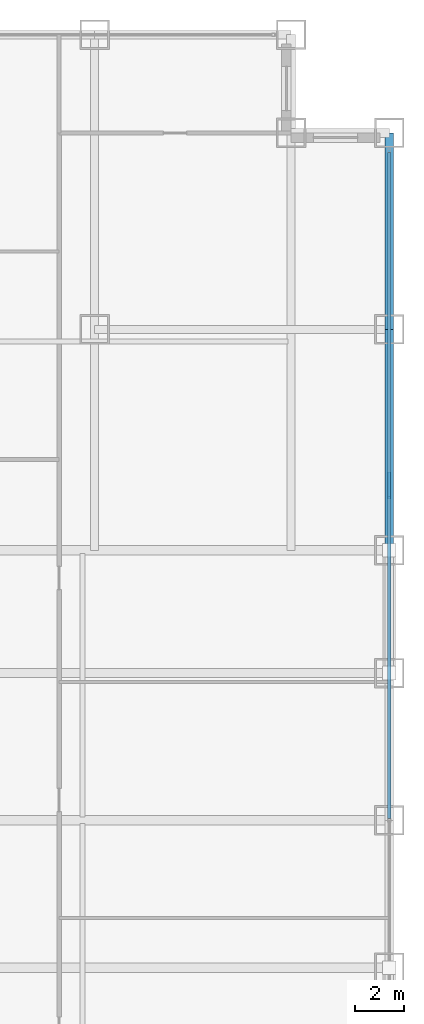
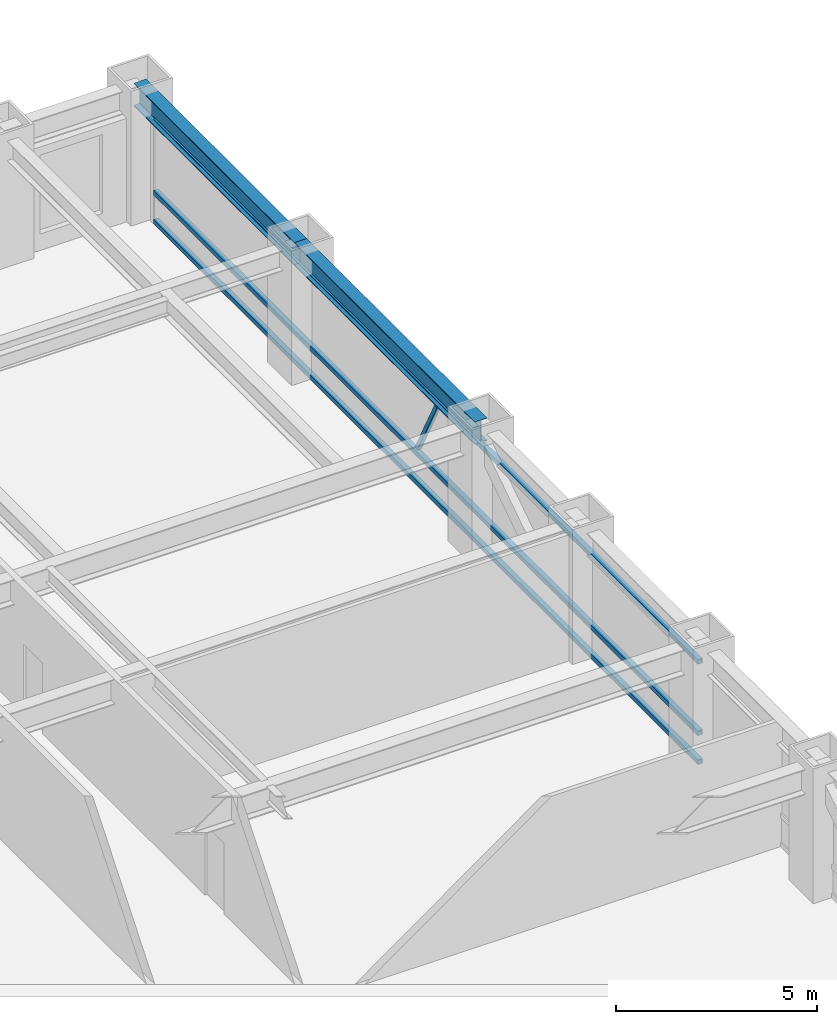
# One storey, part 15 of 27: 4 members, 2 beams, 1 element without a shape of its own.
"""IFC4 building model written with IfcOpenShell, lengths in metres."""

from ifc_helpers import new_model, si_unit, direction, frame, origin, origin_2d, place, context, subcontext, project, spatial, hollow_rectangle, i_section, extrude, source, transform, mapped, material, material_profile, profile_set, type_object, element, aggregate, save


model = new_model("IFC4")

# Units and contexts
model_context = context("Model", 3, precision=1e-05, world=origin(), true_north=direction((0.0, 1.0)))
body_context = subcontext(model_context, "Body", "Model", "MODEL_VIEW")
ifc_project = project(units=[si_unit("LENGTHUNIT", "METRE"), si_unit("AREAUNIT", "SQUARE_METRE"), si_unit("VOLUMEUNIT", "CUBIC_METRE"), si_unit("PLANEANGLEUNIT", "RADIAN"), si_unit("MASSUNIT", "GRAM", prefix="KILO")], contexts=[model_context])

# Site, building, storey
site_placement = place(None, origin())
site = spatial("IfcSite", under=ifc_project, at=site_placement, CompositionType="ELEMENT")
building_placement = place(site_placement, origin())
building = spatial("IfcBuilding", under=site, at=building_placement, Name="Khorayat Bourse Tower", CompositionType="ELEMENT")
storey_placement = place(building_placement, frame((0.0, 0.0, 111.89990234375)))
storey = spatial("IfcBuildingStorey", under=building, at=storey_placement, Name="L25", CompositionType="ELEMENT", Elevation=111.89990234375)

# Beams
ifc_material_1 = material(Name="Steel ASTM A992 Grade 50", Category="steel")
ifc_material_profile_1 = material_profile(ifc_material_1, i_section(OverallWidth=0.35498046875, OverallDepth=0.695068359375, WebThickness=0.015380859375, FlangeThickness=0.02490234375, FilletRadius=0.01806640625, at=origin_2d()), Name="W690X217")
ifc_profile_set_1 = profile_set([ifc_material_profile_1], Name="Steel ASTM A992 Grade 50")
beam_type = type_object("IfcBeamType", Name="BM-SPAN-690", PredefinedType="SPANDREL", material=ifc_profile_set_1)
shared_shape_1 = source(origin(), body_context, "Body", "SweptSolid", [
    extrude(i_section(OverallWidth=0.35498046875, OverallDepth=0.695068359375, WebThickness=0.015380859375, FlangeThickness=0.02490234375, FilletRadius=0.01806640625, at=origin_2d()), origin(), (0.0, 0.0, 1.0), 9.0),
])
beam_1_placement = place(storey_placement, frame((32.0, 11.0, 3.49267578125), z_axis=(0.0, 1.0, 0.0), x_axis=(-1.0, 0.0, 0.0)))
element("IfcBeam", 1, at=beam_1_placement, inside=storey, type_object=beam_type, Name="L25 BM-SPAN-690 BM-L25-SPN-040", PredefinedType="SPANDREL", context=body_context, shape_type="MappedRepresentation", body=[
    mapped(shared_shape_1, transform((0.0, 0.0, 0.0), scale=1.0)),
])
shared_shape_2 = source(origin(), body_context, "Body", "SweptSolid", [
    extrude(i_section(OverallWidth=0.35498046875, OverallDepth=0.695068359375, WebThickness=0.015380859375, FlangeThickness=0.02490234375, FilletRadius=0.01806640625, at=origin_2d()), origin(), (0.0, 0.0, 1.0), 8.0),
])
beam_2_placement = place(storey_placement, frame((32.0, 20.0, 3.49267578125), z_axis=(0.0, 1.0, 0.0), x_axis=(-1.0, 0.0, 0.0)))
element("IfcBeam", 2, at=beam_2_placement, inside=storey, type_object=beam_type, Name="L25 BM-SPAN-690 BM-L25-SPN-041", PredefinedType="SPANDREL", context=body_context, shape_type="MappedRepresentation", body=[
    mapped(shared_shape_2, transform((0.0, 0.0, 0.0), scale=1.0)),
])

# Curtain wall, members
ifc_material_2 = material(Name="Aluminium EN AW-6063 T6", Category="aluminium")
curtain_wall_type = type_object("IfcCurtainWallType", Name="CW-SYS-02", PredefinedType="NOTDEFINED", material=ifc_material_2)
curtain_wall_placement = place(storey_placement, origin())
curtain_wall = element("IfcCurtainWall", 3, at=curtain_wall_placement, inside=storey, type_object=curtain_wall_type, Name="L25 Curtain Wall CW-L25-E1", PredefinedType="NOTDEFINED")
ifc_material_profile_2 = material_profile(ifc_material_2, hollow_rectangle(XDim=0.139892578125, YDim=0.139892578125, WallThickness=0.006103515625, at=origin_2d()), Name="ALU 140x140x6")
ifc_profile_set_2 = profile_set([ifc_material_profile_2], Name="Aluminium EN AW-6063 T6")
member_type_1 = type_object("IfcMemberType", Name="CWT-HORZ-140", PredefinedType="USERDEFINED", material=ifc_profile_set_2)
shared_shape_3 = source(origin(), body_context, "Body", "SweptSolid", [
    extrude(hollow_rectangle(XDim=0.139892578125, YDim=0.139892578125, WallThickness=0.006103515625, at=origin_2d()), origin(), (0.0, 0.0, 1.0), 27.139892578125),
])
member_1_placement = place(storey_placement, frame((32.0, 0.070068359375, 0.070068359375), z_axis=(0.0, 1.0, 0.0), x_axis=(-1.0, 0.0, 0.0)))
member_1 = element("IfcMember", 4, at=member_1_placement, type_object=member_type_1, Name="CW-L25-E1 Horizontal Transom 2-1", ObjectType="TRANSOM", PredefinedType="USERDEFINED", context=body_context, shape_type="MappedRepresentation", body=[
    mapped(shared_shape_3, transform((0.0, 0.0, 0.0), scale=1.0)),
])
member_2_placement = place(storey_placement, frame((32.0, 0.070068359375, 0.9501953125), z_axis=(0.0, 1.0, 0.0), x_axis=(-1.0, 0.0, 0.0)))
member_2 = element("IfcMember", 5, at=member_2_placement, type_object=member_type_1, Name="CW-L25-E1 Horizontal Transom 2-2", ObjectType="TRANSOM", PredefinedType="USERDEFINED", context=body_context, shape_type="MappedRepresentation", body=[
    mapped(shared_shape_3, transform((0.0, 0.0, 0.0), scale=1.0)),
])
member_3_placement = place(storey_placement, frame((32.0, 0.070068359375, 3.1201171875), z_axis=(0.0, 1.0, 0.0), x_axis=(-1.0, 0.0, 0.0)))
member_3 = element("IfcMember", 6, at=member_3_placement, type_object=member_type_1, Name="CW-L25-E1 Horizontal Transom 2-3", ObjectType="TRANSOM", PredefinedType="USERDEFINED", context=body_context, shape_type="MappedRepresentation", body=[
    mapped(shared_shape_3, transform((0.0, 0.0, 0.0), scale=1.0)),
])
ifc_material_profile_3 = material_profile(ifc_material_2, hollow_rectangle(XDim=0.1201171875, YDim=0.1201171875, WallThickness=0.0048828125, at=origin_2d()), Name="ALU 120x120x5")
ifc_profile_set_3 = profile_set([ifc_material_profile_3], Name="Aluminium EN AW-6063 T6")
member_type_2 = type_object("IfcMemberType", Name="CWM-DIAG-120", PredefinedType="MULLION", material=ifc_profile_set_3)
shared_shape_4 = source(origin(), body_context, "Body", "SweptSolid", [
    extrude(hollow_rectangle(XDim=0.1201171875, YDim=0.1201171875, WallThickness=0.0048828125, at=origin_2d()), origin(), (0.0, 0.0, 1.0), 2.11328125),
])
member_4_placement = place(storey_placement, frame((32.0, 14.132080078125, 1.10009765625), z_axis=(0.0, -0.465694055905, 0.884945787207), x_axis=(1.0, 0.0, 0.0)))
member_4 = element("IfcMember", 7, at=member_4_placement, type_object=member_type_2, Name="CW-L25-E1 Faceted Diagonal Mullion 2", PredefinedType="MULLION", context=body_context, shape_type="MappedRepresentation", body=[
    mapped(shared_shape_4, transform((0.0, 0.0, 0.0), scale=1.0)),
])
aggregate(curtain_wall, [member_1, member_2, member_3, member_4])

save(model, "model.ifc")
